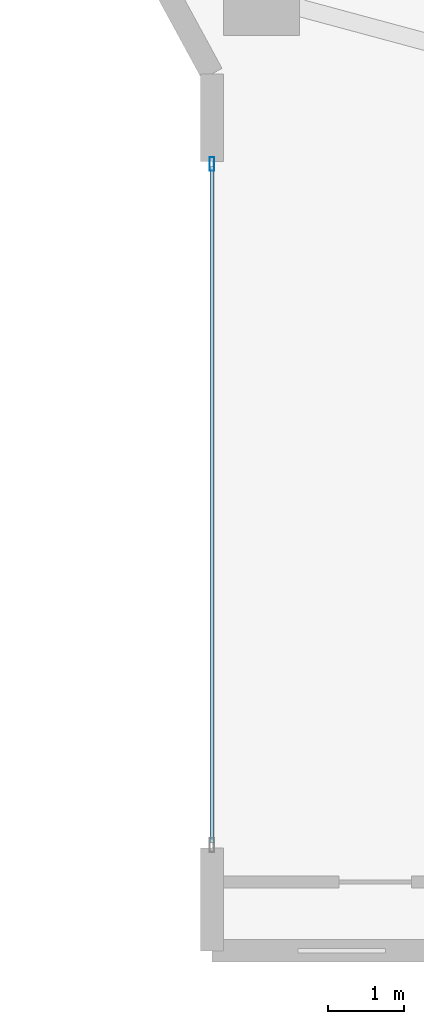
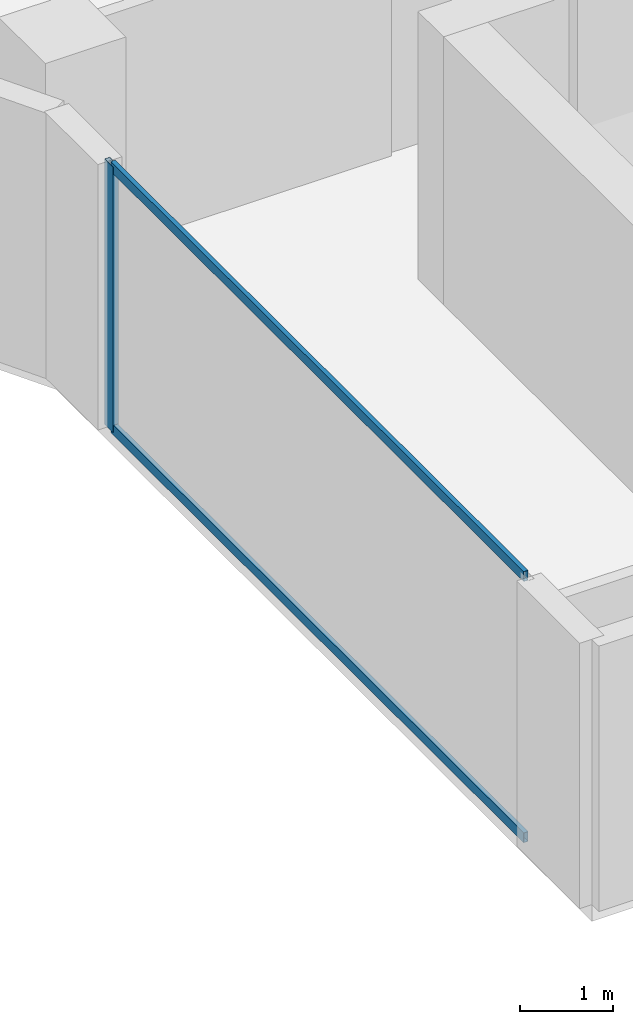
# One storey, part 3 of 26: 3 members, 1 element without a shape of its own.
"""IFC4 building model written with IfcOpenShell, lengths in metres."""

from ifc_helpers import new_model, si_unit, direction, frame, origin, origin_2d, place, context, subcontext, project, spatial, hollow_rectangle, extrude, material, layer, layer_set, material_profile, profile_set, type_object, element, aggregate, save


model = new_model("IFC4")

# Units and contexts
model_context = context("Model", 3, precision=1e-05, world=origin(), true_north=direction((0.0, 1.0)))
body_context = subcontext(model_context, "Body", "Model", "MODEL_VIEW")
ifc_project = project(units=[si_unit("LENGTHUNIT", "METRE"), si_unit("AREAUNIT", "SQUARE_METRE"), si_unit("VOLUMEUNIT", "CUBIC_METRE"), si_unit("PLANEANGLEUNIT", "RADIAN"), si_unit("MASSUNIT", "GRAM", prefix="KILO")], contexts=[model_context])

# Site, building, storey
site_placement = place(None, origin())
site = spatial("IfcSite", under=ifc_project, at=site_placement, CompositionType="ELEMENT")
building_placement = place(site_placement, origin())
building = spatial("IfcBuilding", under=site, at=building_placement, Name="Zuhayl Quay Hotel", CompositionType="ELEMENT")
storey_placement = place(building_placement, frame((0.0, 0.0, 247.050048828125)))
storey = spatial("IfcBuildingStorey", under=building, at=storey_placement, Name="L62", CompositionType="ELEMENT", Elevation=247.050048828125)

# Curtain wall, members
ifc_material_1 = material(Name="Anodised Aluminium 6063-T6", Category="aluminium")
ifc_layer = layer(ifc_material_1, 0.169921875, Name="Anodised Aluminium 6063-T6", Category="aluminium")
ifc_layer_set = layer_set([ifc_layer], Name="Anodised Aluminium 6063-T6")
curtain_wall_type = type_object("IfcCurtainWallType", Name="CW_SYS_Z4", PredefinedType="USERDEFINED", material=ifc_layer_set)
curtain_wall_placement = place(storey_placement, origin())
curtain_wall = element("IfcCurtainWall", 1, at=curtain_wall_placement, inside=storey, type_object=curtain_wall_type, Name="L62 Curtain Wall ENV_L62_E02_CW1", ObjectType="UNITISED CURTAIN WALL", PredefinedType="USERDEFINED")
ifc_material_2 = material(Name="Black-anodised aluminium 6063-T6", Category="aluminium")
ifc_material_profile_1 = material_profile(ifc_material_2, hollow_rectangle(XDim=0.06494140625, YDim=0.179931640625, WallThickness=0.00341796875, at=origin_2d()), Name="ALU180X65")
ifc_profile_set_1 = profile_set([ifc_material_profile_1], Name="Black-anodised aluminium 6063-T6")
member_type_1 = type_object("IfcMemberType", Name="MB_CW_MUL_180", PredefinedType="MULLION", material=ifc_profile_set_1)
member_1_placement = place(storey_placement, frame((-20.199951171875, 13.717529296875, 0.0), z_axis=(0.0, 0.0, 1.0), x_axis=(-1.0, 0.0, 0.0)))
member_1 = element("IfcMember", 2, at=member_1_placement, type_object=member_type_1, Name="CW-Z4 mullion 2", PredefinedType="MULLION", context=body_context, shape_type="SweptSolid", body=[
    extrude(hollow_rectangle(XDim=0.06494140625, YDim=0.179931640625, WallThickness=0.00341796875, at=origin_2d()), origin(), (0.0, 0.0, 1.0), 3.47998046875),
])
ifc_material_profile_2 = material_profile(ifc_material_2, hollow_rectangle(XDim=0.054931640625, YDim=0.1298828125, WallThickness=0.0029296875, at=origin_2d()), Name="ALU130X55")
ifc_profile_set_2 = profile_set([ifc_material_profile_2], Name="Black-anodised aluminium 6063-T6")
member_type_2 = type_object("IfcMemberType", Name="MB_CW_TRN_130", PredefinedType="USERDEFINED", material=ifc_profile_set_2)
member_2_placement = place(storey_placement, frame((-20.199951171875, 4.81494140625, 0.02734375), z_axis=(0.0, 1.0, 0.0), x_axis=(-1.0, 0.0, 0.0)))
member_2 = element("IfcMember", 3, at=member_2_placement, type_object=member_type_2, Name="CW-Z4 transom 1.1", ObjectType="TRANSOM", PredefinedType="USERDEFINED", context=body_context, shape_type="SweptSolid", body=[
    extrude(hollow_rectangle(XDim=0.054931640625, YDim=0.1298828125, WallThickness=0.0029296875, at=origin_2d()), origin(), (0.0, 0.0, 1.0), 8.8701171875),
])
member_3_placement = place(storey_placement, frame((-20.199951171875, 4.81494140625, 3.452392578125), z_axis=(0.0, 1.0, 0.0), x_axis=(-1.0, 0.0, 0.0)))
member_3 = element("IfcMember", 4, at=member_3_placement, type_object=member_type_2, Name="CW-Z4 transom 1.2", ObjectType="TRANSOM", PredefinedType="USERDEFINED", context=body_context, shape_type="SweptSolid", body=[
    extrude(hollow_rectangle(XDim=0.054931640625, YDim=0.1298828125, WallThickness=0.0029296875, at=origin_2d()), origin(), (0.0, 0.0, 1.0), 8.8701171875),
])
aggregate(curtain_wall, [member_1, member_2, member_3])

save(model, "model.ifc")
